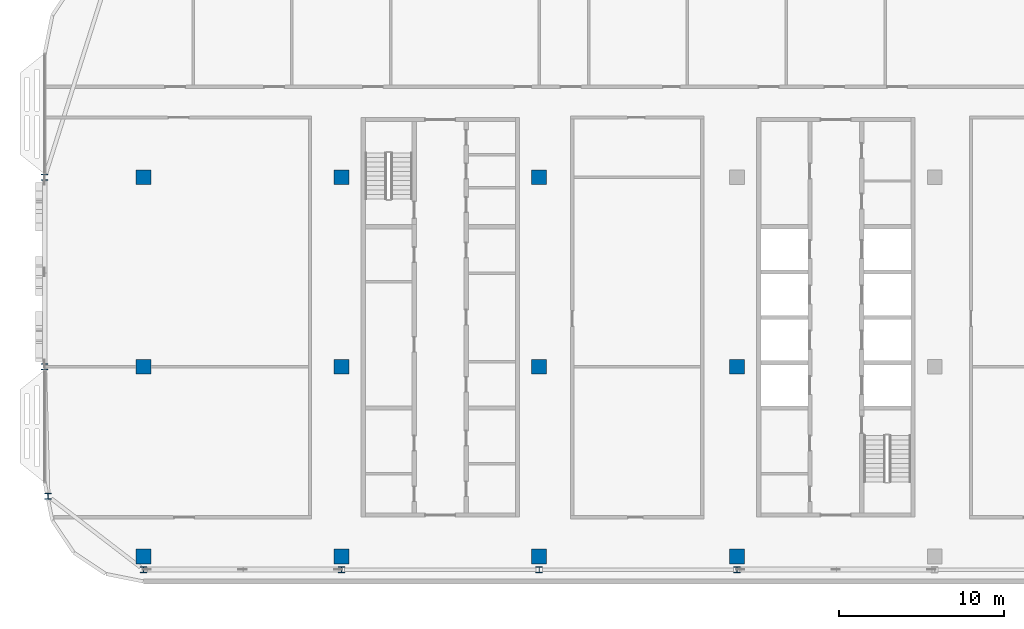
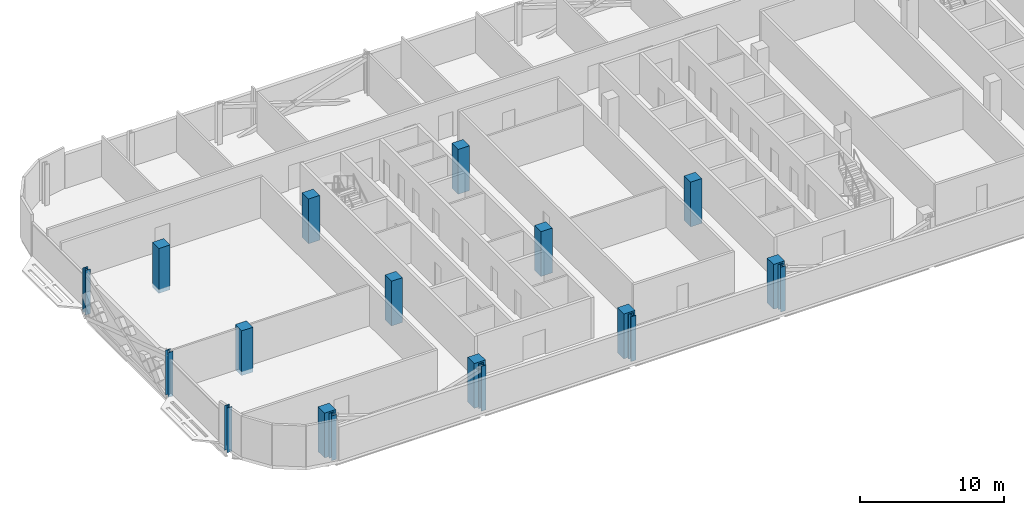
# One storey, part 1 of 29: 18 columns.
"""IFC4 building model written with IfcOpenShell, lengths in metres."""

import ifcopenshell
import ifcopenshell.guid

model = None  # the IFC model being written
_history = None  # IfcOwnerHistory: only IFC2X3 demands one
_inside = {}  # id of a spatial element -> (the spatial element, [elements in it])
_under = {}  # id of a project, library or spatial element -> (it, [spatial elements below it])
_declared = {}  # id of a project -> (the project, [libraries it declares])
_typed = {}  # id of a type object -> (the type object, [elements of that type])
_made_of = {}  # id of a material, layer set ... -> (it, [elements and type objects made of it])


def new_model(schema):
    """Start an empty IFC model of exactly this schema.

    Asked for "IFC4X3", IfcOpenShell would pick the latest addendum, in which some entities
    have other attributes; the version numbers below select the first issue.
    IFC2X3 requires an IfcOwnerHistory on every rooted entity: one is made here for all.
    """
    global model, _history
    if schema == "IFC4X3":
        model = ifcopenshell.file(schema_version=(4, 3, 0, 0))
    else:
        model = ifcopenshell.file(schema=schema)
    _inside.clear()
    _under.clear()
    _declared.clear()
    _typed.clear()
    _made_of.clear()
    _history = None
    if model.schema == "IFC2X3":
        org = make("IfcOrganization", Name="unknown")
        user = make(
            "IfcPersonAndOrganization",
            ThePerson=make("IfcPerson", FamilyName="unknown"),
            TheOrganization=org,
        )
        app = make(
            "IfcApplication",
            ApplicationDeveloper=org,
            Version="unknown",
            ApplicationFullName="unknown",
            ApplicationIdentifier="unknown",
        )
        _history = make(
            "IfcOwnerHistory",
            OwningUser=user,
            OwningApplication=app,
            ChangeAction="ADDED",
            CreationDate=0,
        )
    return model


def make(cls, **values):
    """One entity of the class cls with the attributes given. An attribute that is None is left unset."""
    return model.create_entity(
        cls, **{name: value for name, value in values.items() if value is not None}
    )


def rooted(cls, **values):
    """An entity with a GlobalId (a new one), such as an element, a storey or a relation."""
    return make(cls, GlobalId=ifcopenshell.guid.new(), OwnerHistory=_history, **values)


def si_unit(unit_type, name, prefix=None):
    """IfcSIUnit, for example si_unit("LENGTHUNIT", "METRE", prefix="MILLI")."""
    return make("IfcSIUnit", UnitType=unit_type, Prefix=prefix, Name=name)


def assignment(units):
    """IfcUnitAssignment: the units of a project."""
    return None if units is None else make("IfcUnitAssignment", Units=units)


def point(xyz):
    """IfcCartesianPoint."""
    return None if xyz is None else make("IfcCartesianPoint", Coordinates=xyz)


def direction(xyz):
    """IfcDirection."""
    return None if xyz is None else make("IfcDirection", DirectionRatios=xyz)


def frame(location, z_axis=None, x_axis=None):
    """IfcAxis2Placement3D, a coordinate frame: its origin and axes. An axis left out is left unset."""
    return make(
        "IfcAxis2Placement3D",
        Location=point(location),
        Axis=direction(z_axis),
        RefDirection=direction(x_axis),
    )


def frame_2d(location, x_axis=None):
    """IfcAxis2Placement2D, a coordinate frame in the plane: its origin and x axis."""
    return make(
        "IfcAxis2Placement2D", Location=point(location), RefDirection=direction(x_axis)
    )


def origin():
    """The frame at (0, 0, 0) with its axes left unset."""
    return frame((0.0, 0.0, 0.0))


def origin_2d():
    """The frame at (0, 0) in the plane with its x axis left unset."""
    return frame_2d((0.0, 0.0))


def place(relative_to, where):
    """IfcLocalPlacement: puts the frame where relative to a parent placement (None: the world)."""
    return make(
        "IfcLocalPlacement", PlacementRelTo=relative_to, RelativePlacement=where
    )


def context(
    kind, dimensions, precision=None, world=None, true_north=None, identifier=None
):
    """IfcGeometricRepresentationContext, for example the 3D "Model" context."""
    return make(
        "IfcGeometricRepresentationContext",
        ContextIdentifier=identifier,
        ContextType=kind,
        CoordinateSpaceDimension=dimensions,
        Precision=precision,
        WorldCoordinateSystem=world,
        TrueNorth=true_north,
    )


def subcontext(parent, identifier, kind, view, scale=None):
    """IfcGeometricRepresentationSubContext, for example "Body" below "Model"."""
    return make(
        "IfcGeometricRepresentationSubContext",
        ContextIdentifier=identifier,
        ContextType=kind,
        ParentContext=parent,
        TargetScale=scale,
        TargetView=view,
    )


def project(units=None, contexts=None):
    """IfcProject with its units and contexts."""
    return rooted(
        "IfcProject",
        Name="project",
        RepresentationContexts=contexts,
        UnitsInContext=assignment(units),
    )


def spatial(cls, under=None, at=None, **own):
    """A site, building, storey or space (cls), placed at a placement, below another one or the project."""
    s = rooted(cls, ObjectPlacement=at, **own)
    if under is not None:
        _under.setdefault(under.id(), (under, []))[1].append(s)
    return s


def profile(cls, at=None, kind="AREA", **sizes):
    """A parametric profile (cls). Its sizes go by their IFC names, for example OverallWidth=200.0."""
    return make(cls, ProfileType=kind, Position=at, **sizes)


def rectangle(**sizes):
    """IfcRectangleProfileDef."""
    return profile("IfcRectangleProfileDef", **sizes)


def i_section(**sizes):
    """IfcIShapeProfileDef."""
    return profile("IfcIShapeProfileDef", **sizes)


def extrude(swept, where, along, depth):
    """IfcExtrudedAreaSolid: the profile swept, set in the frame where, extruded along a direction by depth."""
    return make(
        "IfcExtrudedAreaSolid",
        SweptArea=swept,
        Position=where,
        ExtrudedDirection=direction(along),
        Depth=depth,
    )


def shape(context_of_items, identifier, shape_type, items):
    """IfcShapeRepresentation: the items that make up one representation, for example the "Body"."""
    return make(
        "IfcShapeRepresentation",
        ContextOfItems=context_of_items,
        RepresentationIdentifier=identifier,
        RepresentationType=shape_type,
        Items=items,
    )


def material(Name=None, Category=None):
    """IfcMaterial."""
    return make("IfcMaterial", Name=Name, Category=Category)


def material_profile(
    of_material, cross_section, Name=None, Category=None, Priority=None
):
    """IfcMaterialProfile: a cross section and its material."""
    return make(
        "IfcMaterialProfile",
        Name=Name,
        Material=of_material,
        Profile=cross_section,
        Priority=Priority,
        Category=Category,
    )


def profile_set(profiles, Name=None, composite=None):
    """IfcMaterialProfileSet."""
    return make(
        "IfcMaterialProfileSet",
        Name=Name,
        MaterialProfiles=profiles,
        CompositeProfile=composite,
    )


def made_of(thing, what):
    """Note that an element or type object is made of a material, layer set ...; save() writes the relation."""
    if what is not None:
        _made_of.setdefault(what.id(), (what, []))[1].append(thing)
    return thing


def type_object(cls, material=None, **own):
    """A type object (cls), such as IfcWallType, which elements share."""
    return made_of(rooted(cls, **own), material)


def element(
    cls,
    number,
    at=None,
    inside=None,
    cuts=None,
    type_object=None,
    material=None,
    context=None,
    identifier="Body",
    shape_type=None,
    held_by="IfcProductDefinitionShape",
    body=None,
    shapes=None,
    **own,
):
    """One element of the class cls, such as IfcWall. Its Tag is "e" and its number.

    at: its placement. inside: the storey or other place that contains it. cuts: it is an
    opening in that element (IfcRelVoidsElement). A single representation is given by context,
    identifier, shape_type and body (its items); several are given by shapes. held_by: the class
    of the entity that holds the representations. save() writes the other relations.
    """
    e = rooted(cls, Tag="e%d" % number, ObjectPlacement=at, **own)
    if body is not None:
        shapes = [shape(context, identifier, shape_type, body)]
    if shapes is not None:
        e.Representation = make(held_by, Representations=shapes)
    if inside is not None:
        _inside.setdefault(inside.id(), (inside, []))[1].append(e)
    if cuts is not None:
        rooted(
            "IfcRelVoidsElement", RelatingBuildingElement=cuts, RelatedOpeningElement=e
        )
    if type_object is not None:
        _typed.setdefault(type_object.id(), (type_object, []))[1].append(e)
    return made_of(e, material)


def aggregate(whole, parts):
    """IfcRelAggregates: a whole, such as a stair, and the parts it consists of."""
    return rooted("IfcRelAggregates", RelatingObject=whole, RelatedObjects=parts)


def save(model, path):
    """Write the relations noted so far, then the file.

    IfcRelAggregates (storeys below a building ...), IfcRelContainedInSpatialStructure (elements
    in a storey), IfcRelDefinesByType, IfcRelAssociatesMaterial and IfcRelDeclares: one each for
    every whole, place, type object, material and project.
    """
    for whole, parts in _under.values():
        aggregate(whole, parts)
    for where, things in _inside.values():
        rooted(
            "IfcRelContainedInSpatialStructure",
            RelatedElements=things,
            RelatingStructure=where,
        )
    for kind, things in _typed.values():
        rooted("IfcRelDefinesByType", RelatedObjects=things, RelatingType=kind)
    for what, things in _made_of.values():
        rooted("IfcRelAssociatesMaterial", RelatedObjects=things, RelatingMaterial=what)
    for by, libraries in _declared.values():
        rooted("IfcRelDeclares", RelatingContext=by, RelatedDefinitions=libraries)
    model.write(path)


model = new_model("IFC4")

# Units and contexts
model_context = context("Model", 3, precision=1e-05, world=origin(), true_north=direction((0.0, 1.0)))
body_context = subcontext(model_context, "Body", "Model", "MODEL_VIEW")
ifc_project = project(units=[si_unit("LENGTHUNIT", "METRE"), si_unit("AREAUNIT", "SQUARE_METRE"), si_unit("VOLUMEUNIT", "CUBIC_METRE"), si_unit("PLANEANGLEUNIT", "RADIAN"), si_unit("MASSUNIT", "GRAM", prefix="KILO")], contexts=[model_context])

# Site, building, storey
site_placement = place(None, origin())
site = spatial("IfcSite", under=ifc_project, at=site_placement, CompositionType="ELEMENT")
building_placement = place(site_placement, origin())
building = spatial("IfcBuilding", under=site, at=building_placement, Name="Mahtab Terrace Research Tower", CompositionType="ELEMENT")
storey_placement = place(building_placement, frame((0.0, 0.0, 274.699951171875)))
storey = spatial("IfcBuildingStorey", under=building, at=storey_placement, Name="L67", CompositionType="ELEMENT", Elevation=274.699951171875)

# Columns
ifc_material_1 = material(Name="Concrete C70/85", Category="concrete")
ifc_material_profile_1 = material_profile(ifc_material_1, rectangle(XDim=0.89990234375, YDim=0.89990234375, at=origin_2d()), Name="RC column 900x900")
ifc_profile_set_1 = profile_set([ifc_material_profile_1], Name="Concrete C70/85")
column_type_1 = type_object("IfcColumnType", Name="RC column 900x900", PredefinedType="COLUMN", material=ifc_profile_set_1)
for number, where, z_axis, x_axis, name in (
    (1, (-42.0, -11.5, -0.33984375), (0.0, 0.0, 1.0), (1.0, 0.0, 0.0), "Column RC-1A L67"),
    (2, (-42.0, 0.0, -0.33984375), (0.0, 0.0, 1.0), (1.0, 0.0, 0.0), "Column RC-1B L67"),
    (3, (-42.0, 11.5, -0.33984375), (0.0, 0.0, 1.0), (1.0, 0.0, 0.0), "Column RC-1C L67"),
    (4, (-30.0, -11.5, -0.33984375), (0.0, 0.0, 1.0), (1.0, 0.0, 0.0), "Column RC-2A L67"),
    (5, (-30.0, 0.0, -0.33984375), (0.0, 0.0, 1.0), (1.0, 0.0, 0.0), "Column RC-2B L67"),
    (6, (-30.0, 11.5, -0.33984375), (0.0, 0.0, 1.0), (1.0, 0.0, 0.0), "Column RC-2C L67"),
    (7, (-18.0, -11.5, -0.33984375), (0.0, 0.0, 1.0), (1.0, 0.0, 0.0), "Column RC-3A L67"),
    (8, (-18.0, 0.0, -0.33984375), (0.0, 0.0, 1.0), (1.0, 0.0, 0.0), "Column RC-3B L67"),
    (9, (-18.0, 11.5, -0.33984375), (0.0, 0.0, 1.0), (1.0, 0.0, 0.0), "Column RC-3C L67"),
    (10, (-6.0, -11.5, -0.33984375), (0.0, 0.0, 1.0), (1.0, 0.0, 0.0), "Column RC-4A L67"),
    (11, (-6.0, 0.0, -0.33984375), (0.0, 0.0, 1.0), (1.0, 0.0, 0.0), "Column RC-4B L67"),
):
    element("IfcColumn", number, at=place(storey_placement, frame(where, z_axis=z_axis, x_axis=x_axis)), inside=storey, type_object=column_type_1, Name=name, PredefinedType="COLUMN", context=body_context, shape_type="SweptSolid", body=[
        extrude(rectangle(XDim=0.89990234375, YDim=0.89990234375, at=origin_2d()), origin(), (0.0, 0.0, 1.0), 3.7998046875),
    ])
ifc_material_2 = material(Name="Steel ASTM A992 Gr 50", Category="steel")
ifc_material_profile_2 = material_profile(ifc_material_2, i_section(OverallWidth=0.393798828125, OverallDepth=0.3759765625, WebThickness=0.017333984375, FlangeThickness=0.027587890625, at=origin_2d()), Name="W14X145")
ifc_profile_set_2 = profile_set([ifc_material_profile_2], Name="Steel ASTM A992 Gr 50")
column_type_2 = type_object("IfcColumnType", Name="W14x145 column CS14145", PredefinedType="COLUMN", material=ifc_profile_set_2)
for number, where, z_axis, x_axis, name in (
    (12, (-48.0, 11.5, -0.33984375), (0.0, 0.0, 1.0), (1.0, 0.0, 0.0), "Column SC-009 L67"),
    (13, (-48.0, 0.0, -0.33984375), (0.0, 0.0, 1.0), (1.0, 0.0, 0.0), "Column SC-010 L67"),
    (14, (-47.798095703125, -7.847900390625, -0.33984375), (0.0, 0.0, 1.0), (1.0, 0.0, 0.0), "Column SC-080 L67"),
    (15, (-42.0, -12.306884765625, -0.33984375), (0.0, 0.0, 1.0), (1.0, 0.0, 0.0), "Column SC-081 L67"),
    (16, (-30.0, -12.306884765625, -0.33984375), (0.0, 0.0, 1.0), (1.0, 0.0, 0.0), "Column SC-082 L67"),
    (17, (-18.0, -12.306884765625, -0.33984375), (0.0, 0.0, 1.0), (1.0, 0.0, 0.0), "Column SC-083 L67"),
    (18, (-6.0, -12.306884765625, -0.33984375), (0.0, 0.0, 1.0), (1.0, 0.0, 0.0), "Column SC-084 L67"),
):
    element("IfcColumn", number, at=place(storey_placement, frame(where, z_axis=z_axis, x_axis=x_axis)), inside=storey, type_object=column_type_2, Name=name, PredefinedType="COLUMN", context=body_context, shape_type="SweptSolid", body=[
        extrude(i_section(OverallWidth=0.393798828125, OverallDepth=0.3759765625, WebThickness=0.017333984375, FlangeThickness=0.027587890625, at=origin_2d()), origin(), (0.0, 0.0, 1.0), 3.7998046875),
    ])

save(model, "model.ifc")
